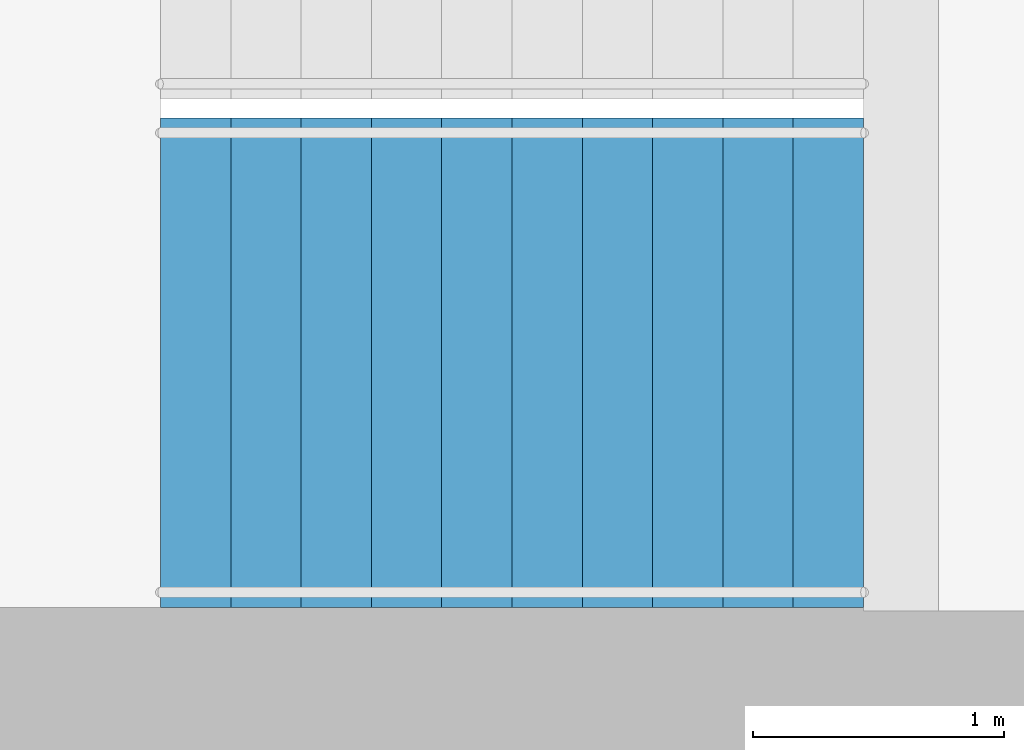
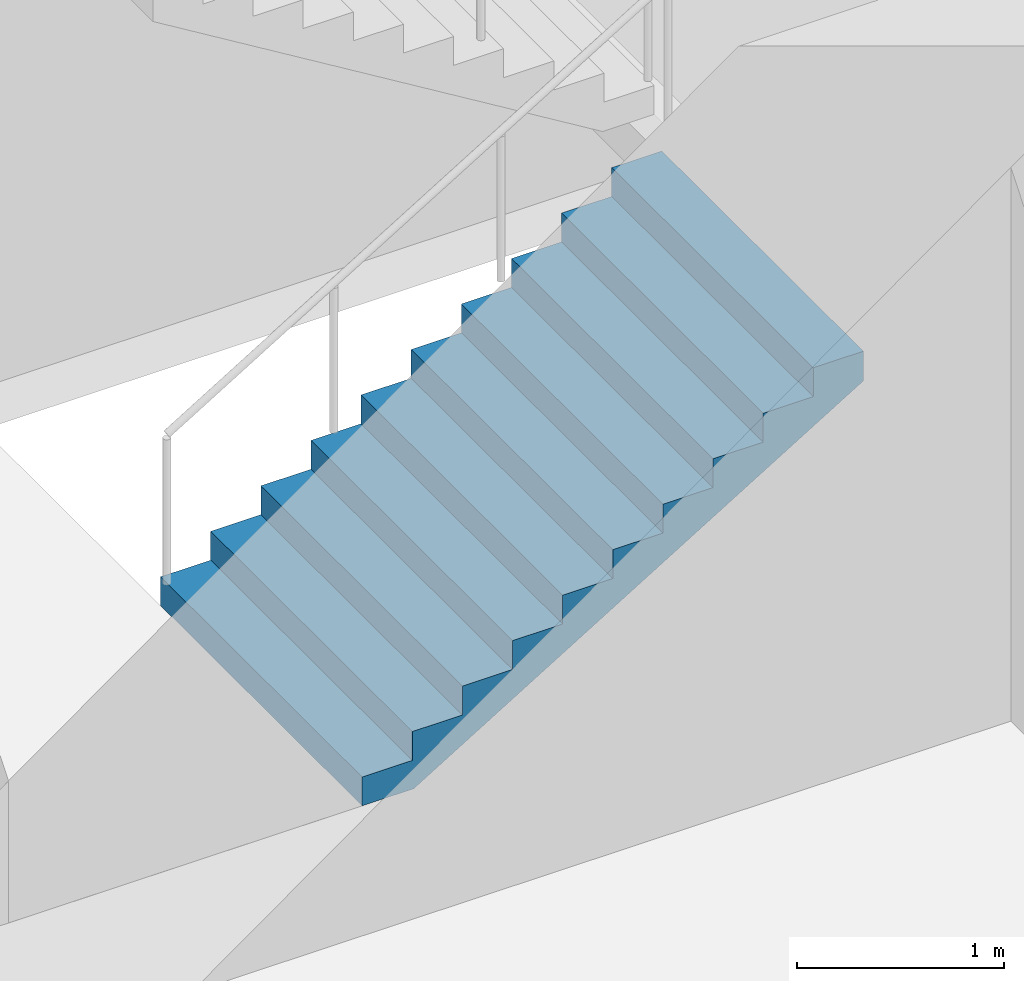
# One storey, part 17 of 21: 1 stair flight, 1 element without a shape of its own.
"""IFC4 building model written with IfcOpenShell, lengths in metres."""

from ifc_helpers import new_model, si_unit, direction, frame, origin, place, context, subcontext, project, spatial, triangles, material, type_object, element, aggregate, save


model = new_model("IFC4")

# Units and contexts
model_context = context("Model", 3, precision=1e-05, world=origin(), true_north=direction((0.0, 1.0)))
body_context = subcontext(model_context, "Body", "Model", "MODEL_VIEW")
ifc_project = project(units=[si_unit("LENGTHUNIT", "METRE"), si_unit("AREAUNIT", "SQUARE_METRE"), si_unit("VOLUMEUNIT", "CUBIC_METRE"), si_unit("PLANEANGLEUNIT", "RADIAN"), si_unit("MASSUNIT", "GRAM", prefix="KILO")], contexts=[model_context])

# Site, building, storey
site_placement = place(None, origin())
site = spatial("IfcSite", under=ifc_project, at=site_placement, CompositionType="ELEMENT")
building_placement = place(site_placement, origin())
building = spatial("IfcBuilding", under=site, at=building_placement, Name="Orbita Commons", CompositionType="ELEMENT")
storey_placement = place(building_placement, frame((0.0, 0.0, 110.64990234375)))
storey = spatial("IfcBuildingStorey", under=building, at=storey_placement, Name="L27", CompositionType="ELEMENT", Elevation=110.64990234375)

# Stair, stair flight
ifc_material_1 = material(Name="Precast concrete C40/50", Category="concrete")
stair_type = type_object("IfcStairType", Name="Exit stair S1 2 flights 11 risers 170", PredefinedType="HALF_TURN_STAIR", material=ifc_material_1)
stair_placement = place(storey_placement, origin())
stair = element("IfcStair", 1, at=stair_placement, inside=storey, type_object=stair_type, Name="Exit stair S1 L27", PredefinedType="HALF_TURN_STAIR")
ifc_material_2 = material(Name="Precast concrete C40/50", Category="concrete")
stair_flight_type = type_object("IfcStairFlightType", Name="Stair flight 11 risers 170 x 280", PredefinedType="STRAIGHT", material=ifc_material_2)
stair_flight_placement = place(storey_placement, frame((20.449951171875, 27.25, 0.0), z_axis=(0.0, 0.0, 1.0), x_axis=(1.0, 0.0, 0.0)))
stair_flight = element("IfcStairFlight", 2, at=stair_flight_placement, type_object=stair_flight_type, Name="S1 flight 1", NumberOfRisers=11, NumberOfTreads=10, PredefinedType="STRAIGHT", RiserHeight=0.170454545, TreadLength=0.28, context=body_context, shape_type="Tessellation", body=[
    triangles([(0.0, 0.974976, 0.0), (0.0, 0.974976, 0.021307), (0.0, 0.81248, 0.021307), (0.0, 0.81248, 0.0), (0.0, 0.649984, 0.021307), (0.0, 0.649984, 0.0), (0.0, 0.487488, 0.021307), (0.0, 0.487488, 0.0), (0.0, 0.324992, 0.021307), (0.0, 0.324992, 0.0), (0.0, 0.162496, 0.021307), (0.0, 0.162496, 0.0), (0.0, 0.0, 0.021307), (0.0, 0.0, 0.0), (0.0, -0.162496, 0.021307), (0.0, -0.162496, 0.0), (0.0, -0.324992, 0.021307), (0.0, -0.324992, 0.0), (0.0, -0.487488, 0.021307), (0.0, -0.487488, 0.0), (0.0, -0.649984, 0.021307), (0.0, -0.649984, 0.0), (0.0, -0.81248, 0.021307), (0.0, -0.81248, 0.0), (0.0, -0.974976, 0.021307), (0.0, -0.974976, 0.0), (0.0, 0.974976, 0.042614), (0.0, 0.81248, 0.042614), (0.0, 0.649984, 0.042614), (0.0, 0.487488, 0.042614), (0.0, 0.324992, 0.042614), (0.0, 0.162496, 0.042614), (0.0, 0.0, 0.042614), (0.0, -0.162496, 0.042614), (0.0, -0.324992, 0.042614), (0.0, -0.487488, 0.042614), (0.0, -0.649984, 0.042614), (0.0, -0.81248, 0.042614), (0.0, -0.974976, 0.042614), (0.0, 0.974976, 0.06392), (0.0, 0.81248, 0.06392), (0.0, 0.649984, 0.06392), (0.0, 0.487488, 0.06392), (0.0, 0.324992, 0.06392), (0.0, 0.162496, 0.06392), (0.0, 0.0, 0.06392), (0.0, -0.162496, 0.06392), (0.0, -0.324992, 0.06392), (0.0, -0.487488, 0.06392), (0.0, -0.649984, 0.06392), (0.0, -0.81248, 0.06392), (0.0, -0.974976, 0.06392), (0.0, 0.974976, 0.085227), (0.0, 0.81248, 0.085227), (0.0, 0.649984, 0.085227), (0.0, 0.487488, 0.085227), (0.0, 0.324992, 0.085227), (0.0, 0.162496, 0.085227), (0.0, 0.0, 0.085227), (0.0, -0.162496, 0.085227), (0.0, -0.324992, 0.085227), (0.0, -0.487488, 0.085227), (0.0, -0.649984, 0.085227), (0.0, -0.81248, 0.085227), (0.0, -0.974976, 0.085227), (0.0, 0.974976, 0.106534), (0.0, 0.81248, 0.106534), (0.0, 0.649984, 0.106534), (0.0, 0.487488, 0.106534), (0.0, 0.324992, 0.106534), (0.0, 0.162496, 0.106534), (0.0, 0.0, 0.106534), (0.0, -0.162496, 0.106534), (0.0, -0.324992, 0.106534), (0.0, -0.487488, 0.106534), (0.0, -0.649984, 0.106534), (0.0, -0.81248, 0.106534), (0.0, -0.974976, 0.106534), (0.0, 0.974976, 0.127841), (0.0, 0.81248, 0.127841), (0.0, 0.649984, 0.127841), (0.0, 0.487488, 0.127841), (0.0, 0.324992, 0.127841), (0.0, 0.162496, 0.127841), (0.0, 0.0, 0.127841), (0.0, -0.162496, 0.127841), (0.0, -0.324992, 0.127841), (0.0, -0.487488, 0.127841), (0.0, -0.649984, 0.127841), (0.0, -0.81248, 0.127841), (0.0, -0.974976, 0.127841), (0.0, 0.974976, 0.149148), (0.0, 0.81248, 0.149148), (0.0, 0.649984, 0.149148), (0.0, 0.487488, 0.149148), (0.0, 0.324992, 0.149148), (0.0, 0.162496, 0.149148), (0.0, 0.0, 0.149148), (0.0, -0.162496, 0.149148), (0.0, -0.324992, 0.149148), (0.0, -0.487488, 0.149148), (0.0, -0.649984, 0.149148), (0.0, -0.81248, 0.149148), (0.0, -0.974976, 0.149148), (0.0, 0.974976, 0.170455), (0.0, 0.81248, 0.170455), (0.0, 0.649984, 0.170455), (0.0, 0.487488, 0.170455), (0.0, 0.324992, 0.170455), (0.0, 0.162496, 0.170455), (0.0, 0.0, 0.170455), (0.0, -0.162496, 0.170455), (0.0, -0.324992, 0.170455), (0.0, -0.487488, 0.170455), (0.0, -0.649984, 0.170455), (0.0, -0.81248, 0.170455), (0.0, -0.974976, 0.170455), (0.28, 0.974976, 0.170455), (0.28, 0.81248, 0.170455), (0.28, 0.649984, 0.170455), (0.28, 0.487488, 0.170455), (0.28, 0.324992, 0.170455), (0.28, 0.162496, 0.170455), (0.28, 0.0, 0.170455), (0.28, -0.162496, 0.170455), (0.28, -0.324992, 0.170455), (0.28, -0.487488, 0.170455), (0.28, -0.649984, 0.170455), (0.28, -0.81248, 0.170455), (0.28, -0.974976, 0.170455), (0.28, 0.974976, 0.340909), (0.28, 0.81248, 0.340909), (0.28, 0.649984, 0.340909), (0.28, 0.487488, 0.340909), (0.28, 0.324992, 0.340909), (0.28, 0.162496, 0.340909), (0.28, 0.0, 0.340909), (0.28, -0.162496, 0.340909), (0.28, -0.324992, 0.340909), (0.28, -0.487488, 0.340909), (0.28, -0.649984, 0.340909), (0.28, -0.81248, 0.340909), (0.28, -0.974976, 0.340909), (0.56, 0.974976, 0.340909), (0.56, 0.81248, 0.340909), (0.56, 0.649984, 0.340909), (0.56, 0.487488, 0.340909), (0.56, 0.324992, 0.340909), (0.56, 0.162496, 0.340909), (0.56, 0.0, 0.340909), (0.56, -0.162496, 0.340909), (0.56, -0.324992, 0.340909), (0.56, -0.487488, 0.340909), (0.56, -0.649984, 0.340909), (0.56, -0.81248, 0.340909), (0.56, -0.974976, 0.340909), (0.56, 0.974976, 0.511364), (0.56, 0.81248, 0.511364), (0.56, 0.649984, 0.511364), (0.56, 0.487488, 0.511364), (0.56, 0.324992, 0.511364), (0.56, 0.162496, 0.511364), (0.56, 0.0, 0.511364), (0.56, -0.162496, 0.511364), (0.56, -0.324992, 0.511364), (0.56, -0.487488, 0.511364), (0.56, -0.649984, 0.511364), (0.56, -0.81248, 0.511364), (0.56, -0.974976, 0.511364), (0.84, 0.974976, 0.511364), (0.84, 0.81248, 0.511364), (0.84, 0.649984, 0.511364), (0.84, 0.487488, 0.511364), (0.84, 0.324992, 0.511364), (0.84, 0.162496, 0.511364), (0.84, 0.0, 0.511364), (0.84, -0.162496, 0.511364), (0.84, -0.324992, 0.511364), (0.84, -0.487488, 0.511364), (0.84, -0.649984, 0.511364), (0.84, -0.81248, 0.511364), (0.84, -0.974976, 0.511364), (0.84, 0.974976, 0.681818), (0.84, 0.81248, 0.681818), (0.84, 0.649984, 0.681818), (0.84, 0.487488, 0.681818), (0.84, 0.324992, 0.681818), (0.84, 0.162496, 0.681818), (0.84, 0.0, 0.681818), (0.84, -0.162496, 0.681818), (0.84, -0.324992, 0.681818), (0.84, -0.487488, 0.681818), (0.84, -0.649984, 0.681818), (0.84, -0.81248, 0.681818), (0.84, -0.974976, 0.681818), (1.12, 0.974976, 0.681818), (1.12, 0.81248, 0.681818), (1.12, 0.649984, 0.681818), (1.12, 0.487488, 0.681818), (1.12, 0.324992, 0.681818), (1.12, 0.162496, 0.681818), (1.12, 0.0, 0.681818), (1.12, -0.162496, 0.681818), (1.12, -0.324992, 0.681818), (1.12, -0.487488, 0.681818), (1.12, -0.649984, 0.681818), (1.12, -0.81248, 0.681818), (1.12, -0.974976, 0.681818), (1.12, 0.974976, 0.852273), (1.12, 0.81248, 0.852273), (1.12, 0.649984, 0.852273), (1.12, 0.487488, 0.852273), (1.12, 0.324992, 0.852273), (1.12, 0.162496, 0.852273), (1.12, 0.0, 0.852273), (1.12, -0.162496, 0.852273), (1.12, -0.324992, 0.852273), (1.12, -0.487488, 0.852273), (1.12, -0.649984, 0.852273), (1.12, -0.81248, 0.852273), (1.12, -0.974976, 0.852273), (1.4, 0.974976, 0.852273), (1.4, 0.81248, 0.852273), (1.4, 0.649984, 0.852273), (1.4, 0.487488, 0.852273), (1.4, 0.324992, 0.852273), (1.4, 0.162496, 0.852273), (1.4, 0.0, 0.852273), (1.4, -0.162496, 0.852273), (1.4, -0.324992, 0.852273), (1.4, -0.487488, 0.852273), (1.4, -0.649984, 0.852273), (1.4, -0.81248, 0.852273), (1.4, -0.974976, 0.852273), (1.4, 0.974976, 1.022727), (1.4, 0.81248, 1.022727), (1.4, 0.649984, 1.022727), (1.4, 0.487488, 1.022727), (1.4, 0.324992, 1.022727), (1.4, 0.162496, 1.022727), (1.4, 0.0, 1.022727), (1.4, -0.162496, 1.022727), (1.4, -0.324992, 1.022727), (1.4, -0.487488, 1.022727), (1.4, -0.649984, 1.022727), (1.4, -0.81248, 1.022727), (1.4, -0.974976, 1.022727), (1.68, 0.974976, 1.022727), (1.68, 0.81248, 1.022727), (1.68, 0.649984, 1.022727), (1.68, 0.487488, 1.022727), (1.68, 0.324992, 1.022727), (1.68, 0.162496, 1.022727), (1.68, 0.0, 1.022727), (1.68, -0.162496, 1.022727), (1.68, -0.324992, 1.022727), (1.68, -0.487488, 1.022727), (1.68, -0.649984, 1.022727), (1.68, -0.81248, 1.022727), (1.68, -0.974976, 1.022727), (1.68, 0.974976, 1.193182), (1.68, 0.81248, 1.193182), (1.68, 0.649984, 1.193182), (1.68, 0.487488, 1.193182), (1.68, 0.324992, 1.193182), (1.68, 0.162496, 1.193182), (1.68, 0.0, 1.193182), (1.68, -0.162496, 1.193182), (1.68, -0.324992, 1.193182), (1.68, -0.487488, 1.193182), (1.68, -0.649984, 1.193182), (1.68, -0.81248, 1.193182), (1.68, -0.974976, 1.193182), (1.96, 0.974976, 1.193182), (1.96, 0.81248, 1.193182), (1.96, 0.649984, 1.193182), (1.96, 0.487488, 1.193182), (1.96, 0.324992, 1.193182), (1.96, 0.162496, 1.193182), (1.96, 0.0, 1.193182), (1.96, -0.162496, 1.193182), (1.96, -0.324992, 1.193182), (1.96, -0.487488, 1.193182), (1.96, -0.649984, 1.193182), (1.96, -0.81248, 1.193182), (1.96, -0.974976, 1.193182), (1.96, 0.974976, 1.363636), (1.96, 0.81248, 1.363636), (1.96, 0.649984, 1.363636), (1.96, 0.487488, 1.363636), (1.96, 0.324992, 1.363636), (1.96, 0.162496, 1.363636), (1.96, 0.0, 1.363636), (1.96, -0.162496, 1.363636), (1.96, -0.324992, 1.363636), (1.96, -0.487488, 1.363636), (1.96, -0.649984, 1.363636), (1.96, -0.81248, 1.363636), (1.96, -0.974976, 1.363636), (2.24, 0.974976, 1.363636), (2.24, 0.81248, 1.363636), (2.24, 0.649984, 1.363636), (2.24, 0.487488, 1.363636), (2.24, 0.324992, 1.363636), (2.24, 0.162496, 1.363636), (2.24, 0.0, 1.363636), (2.24, -0.162496, 1.363636), (2.24, -0.324992, 1.363636), (2.24, -0.487488, 1.363636), (2.24, -0.649984, 1.363636), (2.24, -0.81248, 1.363636), (2.24, -0.974976, 1.363636), (2.24, 0.974976, 1.534091), (2.24, 0.81248, 1.534091), (2.24, 0.649984, 1.534091), (2.24, 0.487488, 1.534091), (2.24, 0.324992, 1.534091), (2.24, 0.162496, 1.534091), (2.24, 0.0, 1.534091), (2.24, -0.162496, 1.534091), (2.24, -0.324992, 1.534091), (2.24, -0.487488, 1.534091), (2.24, -0.649984, 1.534091), (2.24, -0.81248, 1.534091), (2.24, -0.974976, 1.534091), (2.52, 0.974976, 1.534091), (2.52, 0.81248, 1.534091), (2.52, 0.649984, 1.534091), (2.52, 0.487488, 1.534091), (2.52, 0.324992, 1.534091), (2.52, 0.162496, 1.534091), (2.52, 0.0, 1.534091), (2.52, -0.162496, 1.534091), (2.52, -0.324992, 1.534091), (2.52, -0.487488, 1.534091), (2.52, -0.649984, 1.534091), (2.52, -0.81248, 1.534091), (2.52, -0.974976, 1.534091), (2.52, 0.974976, 1.704545), (2.52, 0.81248, 1.704545), (2.52, 0.649984, 1.704545), (2.52, 0.487488, 1.704545), (2.52, 0.324992, 1.704545), (2.52, 0.162496, 1.704545), (2.52, 0.0, 1.704545), (2.52, -0.162496, 1.704545), (2.52, -0.324992, 1.704545), (2.52, -0.487488, 1.704545), (2.52, -0.649984, 1.704545), (2.52, -0.81248, 1.704545), (2.52, -0.974976, 1.704545), (2.8, 0.974976, 1.704545), (2.8, 0.81248, 1.704545), (2.8, 0.649984, 1.704545), (2.8, 0.487488, 1.704545), (2.8, 0.324992, 1.704545), (2.8, 0.162496, 1.704545), (2.8, 0.0, 1.704545), (2.8, -0.162496, 1.704545), (2.8, -0.324992, 1.704545), (2.8, -0.487488, 1.704545), (2.8, -0.649984, 1.704545), (2.8, -0.81248, 1.704545), (2.8, -0.974976, 1.704545), (2.8, 0.974976, 1.682609), (2.8, 0.81248, 1.682609), (2.8, 0.649984, 1.682609), (2.8, 0.487488, 1.682609), (2.8, 0.324992, 1.682609), (2.8, 0.162496, 1.682609), (2.8, 0.0, 1.682609), (2.8, -0.162496, 1.682609), (2.8, -0.324992, 1.682609), (2.8, -0.487488, 1.682609), (2.8, -0.649984, 1.682609), (2.8, -0.81248, 1.682609), (2.8, -0.974976, 1.682609), (2.8, 0.974976, 1.660672), (2.8, 0.81248, 1.660672), (2.8, 0.649984, 1.660672), (2.8, 0.487488, 1.660672), (2.8, 0.324992, 1.660672), (2.8, 0.162496, 1.660672), (2.8, 0.0, 1.660672), (2.8, -0.162496, 1.660672), (2.8, -0.324992, 1.660672), (2.8, -0.487488, 1.660672), (2.8, -0.649984, 1.660672), (2.8, -0.81248, 1.660672), (2.8, -0.974976, 1.660672), (2.8, 0.974976, 1.638735), (2.8, 0.81248, 1.638735), (2.8, 0.649984, 1.638735), (2.8, 0.487488, 1.638735), (2.8, 0.324992, 1.638735), (2.8, 0.162496, 1.638735), (2.8, 0.0, 1.638735), (2.8, -0.162496, 1.638735), (2.8, -0.324992, 1.638735), (2.8, -0.487488, 1.638735), (2.8, -0.649984, 1.638735), (2.8, -0.81248, 1.638735), (2.8, -0.974976, 1.638735), (2.8, 0.974976, 1.616798), (2.8, 0.81248, 1.616798), (2.8, 0.649984, 1.616798), (2.8, 0.487488, 1.616798), (2.8, 0.324992, 1.616798), (2.8, 0.162496, 1.616798), (2.8, 0.0, 1.616798), (2.8, -0.162496, 1.616798), (2.8, -0.324992, 1.616798), (2.8, -0.487488, 1.616798), (2.8, -0.649984, 1.616798), (2.8, -0.81248, 1.616798), (2.8, -0.974976, 1.616798), (2.8, 0.974976, 1.594861), (2.8, 0.81248, 1.594861), (2.8, 0.649984, 1.594861), (2.8, 0.487488, 1.594861), (2.8, 0.324992, 1.594861), (2.8, 0.162496, 1.594861), (2.8, 0.0, 1.594861), (2.8, -0.162496, 1.594861), (2.8, -0.324992, 1.594861), (2.8, -0.487488, 1.594861), (2.8, -0.649984, 1.594861), (2.8, -0.81248, 1.594861), (2.8, -0.974976, 1.594861), (2.8, 0.974976, 1.572925), (2.8, 0.81248, 1.572925), (2.8, 0.649984, 1.572925), (2.8, 0.487488, 1.572925), (2.8, 0.324992, 1.572925), (2.8, 0.162496, 1.572925), (2.8, 0.0, 1.572925), (2.8, -0.162496, 1.572925), (2.8, -0.324992, 1.572925), (2.8, -0.487488, 1.572925), (2.8, -0.649984, 1.572925), (2.8, -0.81248, 1.572925), (2.8, -0.974976, 1.572925), (2.8, 0.974976, 1.550988), (2.8, 0.81248, 1.550988), (2.8, 0.649984, 1.550988), (2.8, 0.487488, 1.550988), (2.8, 0.324992, 1.550988), (2.8, 0.162496, 1.550988), (2.8, 0.0, 1.550988), (2.8, -0.162496, 1.550988), (2.8, -0.324992, 1.550988), (2.8, -0.487488, 1.550988), (2.8, -0.649984, 1.550988), (2.8, -0.81248, 1.550988), (2.8, -0.974976, 1.550988), (2.8, 0.974976, 1.529051), (2.8, 0.81248, 1.529051), (2.8, 0.649984, 1.529051), (2.8, 0.487488, 1.529051), (2.8, 0.324992, 1.529051), (2.8, 0.162496, 1.529051), (2.8, 0.0, 1.529051), (2.8, -0.162496, 1.529051), (2.8, -0.324992, 1.529051), (2.8, -0.487488, 1.529051), (2.8, -0.649984, 1.529051), (2.8, -0.81248, 1.529051), (2.8, -0.974976, 1.529051), (0.288279, 0.974976, 0.0), (0.288279, 0.81248, 0.0), (0.288279, 0.649984, 0.0), (0.288279, 0.487488, 0.0), (0.288279, 0.324992, 0.0), (0.288279, 0.162496, 0.0), (0.288279, 0.0, 0.0), (0.288279, -0.162496, 0.0), (0.288279, -0.324992, 0.0), (0.288279, -0.487488, 0.0), (0.288279, -0.649984, 0.0), (0.288279, -0.81248, 0.0), (0.288279, -0.974976, 0.0)], [[3, 2, 1], [4, 3, 1], [5, 3, 4], [6, 5, 4], [7, 5, 6], [8, 7, 6], [9, 7, 8], [10, 9, 8], [11, 9, 10], [12, 11, 10], [13, 11, 12], [14, 13, 12], [15, 13, 14], [16, 15, 14], [17, 15, 16], [18, 17, 16], [19, 17, 18], [20, 19, 18], [21, 19, 20], [22, 21, 20], [23, 21, 22], [24, 23, 22], [25, 23, 24], [26, 25, 24], [28, 27, 2], [3, 28, 2], [29, 28, 3], [5, 29, 3], [30, 29, 5], [7, 30, 5], [31, 30, 7], [9, 31, 7], [32, 31, 9], [11, 32, 9], [33, 32, 11], [13, 33, 11], [34, 33, 13], [15, 34, 13], [35, 34, 15], [17, 35, 15], [36, 35, 17], [19, 36, 17], [37, 36, 19], [21, 37, 19], [38, 37, 21], [23, 38, 21], [39, 38, 23], [25, 39, 23], [41, 40, 27], [28, 41, 27], [42, 41, 28], [29, 42, 28], [43, 42, 29], [30, 43, 29], [44, 43, 30], [31, 44, 30], [45, 44, 31], [32, 45, 31], [46, 45, 32], [33, 46, 32], [47, 46, 33], [34, 47, 33], [48, 47, 34], [35, 48, 34], [49, 48, 35], [36, 49, 35], [50, 49, 36], [37, 50, 36], [51, 50, 37], [38, 51, 37], [52, 51, 38], [39, 52, 38], [54, 53, 40], [41, 54, 40], [55, 54, 41], [42, 55, 41], [56, 55, 42], [43, 56, 42], [57, 56, 43], [44, 57, 43], [58, 57, 44], [45, 58, 44], [59, 58, 45], [46, 59, 45], [60, 59, 46], [47, 60, 46], [61, 60, 47], [48, 61, 47], [62, 61, 48], [49, 62, 48], [63, 62, 49], [50, 63, 49], [64, 63, 50], [51, 64, 50], [65, 64, 51], [52, 65, 51], [67, 66, 53], [54, 67, 53], [68, 67, 54], [55, 68, 54], [69, 68, 55], [56, 69, 55], [70, 69, 56], [57, 70, 56], [71, 70, 57], [58, 71, 57], [72, 71, 58], [59, 72, 58], [73, 72, 59], [60, 73, 59], [74, 73, 60], [61, 74, 60], [75, 74, 61], [62, 75, 61], [76, 75, 62], [63, 76, 62], [77, 76, 63], [64, 77, 63], [78, 77, 64], [65, 78, 64], [80, 79, 66], [67, 80, 66], [81, 80, 67], [68, 81, 67], [82, 81, 68], [69, 82, 68], [83, 82, 69], [70, 83, 69], [84, 83, 70], [71, 84, 70], [85, 84, 71], [72, 85, 71], [86, 85, 72], [73, 86, 72], [87, 86, 73], [74, 87, 73], [88, 87, 74], [75, 88, 74], [89, 88, 75], [76, 89, 75], [90, 89, 76], [77, 90, 76], [91, 90, 77], [78, 91, 77], [93, 92, 79], [80, 93, 79], [94, 93, 80], [81, 94, 80], [95, 94, 81], [82, 95, 81], [96, 95, 82], [83, 96, 82], [97, 96, 83], [84, 97, 83], [98, 97, 84], [85, 98, 84], [99, 98, 85], [86, 99, 85], [100, 99, 86], [87, 100, 86], [101, 100, 87], [88, 101, 87], [102, 101, 88], [89, 102, 88], [103, 102, 89], [90, 103, 89], [104, 103, 90], [91, 104, 90], [106, 105, 92], [93, 106, 92], [107, 106, 93], [94, 107, 93], [108, 107, 94], [95, 108, 94], [109, 108, 95], [96, 109, 95], [110, 109, 96], [97, 110, 96], [111, 110, 97], [98, 111, 97], [112, 111, 98], [99, 112, 98], [113, 112, 99], [100, 113, 99], [114, 113, 100], [101, 114, 100], [115, 114, 101], [102, 115, 101], [116, 115, 102], [103, 116, 102], [117, 116, 103], [104, 117, 103], [119, 118, 105], [106, 119, 105], [120, 119, 106], [107, 120, 106], [121, 120, 107], [108, 121, 107], [122, 121, 108], [109, 122, 108], [123, 122, 109], [110, 123, 109], [124, 123, 110], [111, 124, 110], [125, 124, 111], [112, 125, 111], [126, 125, 112], [113, 126, 112], [127, 126, 113], [114, 127, 113], [128, 127, 114], [115, 128, 114], [129, 128, 115], [116, 129, 115], [130, 129, 116], [117, 130, 116], [132, 131, 118], [119, 132, 118], [133, 132, 119], [120, 133, 119], [134, 133, 120], [121, 134, 120], [135, 134, 121], [122, 135, 121], [136, 135, 122], [123, 136, 122], [137, 136, 123], [124, 137, 123], [138, 137, 124], [125, 138, 124], [139, 138, 125], [126, 139, 125], [140, 139, 126], [127, 140, 126], [141, 140, 127], [128, 141, 127], [142, 141, 128], [129, 142, 128], [143, 142, 129], [130, 143, 129], [145, 144, 131], [132, 145, 131], [146, 145, 132], [133, 146, 132], [147, 146, 133], [134, 147, 133], [148, 147, 134], [135, 148, 134], [149, 148, 135], [136, 149, 135], [150, 149, 136], [137, 150, 136], [151, 150, 137], [138, 151, 137], [152, 151, 138], [139, 152, 138], [153, 152, 139], [140, 153, 139], [154, 153, 140], [141, 154, 140], [155, 154, 141], [142, 155, 141], [156, 155, 142], [143, 156, 142], [158, 157, 144], [145, 158, 144], [159, 158, 145], [146, 159, 145], [160, 159, 146], [147, 160, 146], [161, 160, 147], [148, 161, 147], [162, 161, 148], [149, 162, 148], [163, 162, 149], [150, 163, 149], [164, 163, 150], [151, 164, 150], [165, 164, 151], [152, 165, 151], [166, 165, 152], [153, 166, 152], [167, 166, 153], [154, 167, 153], [168, 167, 154], [155, 168, 154], [169, 168, 155], [156, 169, 155], [171, 170, 157], [158, 171, 157], [172, 171, 158], [159, 172, 158], [173, 172, 159], [160, 173, 159], [174, 173, 160], [161, 174, 160], [175, 174, 161], [162, 175, 161], [176, 175, 162], [163, 176, 162], [177, 176, 163], [164, 177, 163], [178, 177, 164], [165, 178, 164], [179, 178, 165], [166, 179, 165], [180, 179, 166], [167, 180, 166], [181, 180, 167], [168, 181, 167], [182, 181, 168], [169, 182, 168], [184, 183, 170], [171, 184, 170], [185, 184, 171], [172, 185, 171], [186, 185, 172], [173, 186, 172], [187, 186, 173], [174, 187, 173], [188, 187, 174], [175, 188, 174], [189, 188, 175], [176, 189, 175], [190, 189, 176], [177, 190, 176], [191, 190, 177], [178, 191, 177], [192, 191, 178], [179, 192, 178], [193, 192, 179], [180, 193, 179], [194, 193, 180], [181, 194, 180], [195, 194, 181], [182, 195, 181], [197, 196, 183], [184, 197, 183], [198, 197, 184], [185, 198, 184], [199, 198, 185], [186, 199, 185], [200, 199, 186], [187, 200, 186], [201, 200, 187], [188, 201, 187], [202, 201, 188], [189, 202, 188], [203, 202, 189], [190, 203, 189], [204, 203, 190], [191, 204, 190], [205, 204, 191], [192, 205, 191], [206, 205, 192], [193, 206, 192], [207, 206, 193], [194, 207, 193], [208, 207, 194], [195, 208, 194], [210, 209, 196], [197, 210, 196], [211, 210, 197], [198, 211, 197], [212, 211, 198], [199, 212, 198], [213, 212, 199], [200, 213, 199], [214, 213, 200], [201, 214, 200], [215, 214, 201], [202, 215, 201], [216, 215, 202], [203, 216, 202], [217, 216, 203], [204, 217, 203], [218, 217, 204], [205, 218, 204], [219, 218, 205], [206, 219, 205], [220, 219, 206], [207, 220, 206], [221, 220, 207], [208, 221, 207], [223, 222, 209], [210, 223, 209], [224, 223, 210], [211, 224, 210], [225, 224, 211], [212, 225, 211], [226, 225, 212], [213, 226, 212], [227, 226, 213], [214, 227, 213], [228, 227, 214], [215, 228, 214], [229, 228, 215], [216, 229, 215], [230, 229, 216], [217, 230, 216], [231, 230, 217], [218, 231, 217], [232, 231, 218], [219, 232, 218], [233, 232, 219], [220, 233, 219], [234, 233, 220], [221, 234, 220], [236, 235, 222], [223, 236, 222], [237, 236, 223], [224, 237, 223], [238, 237, 224], [225, 238, 224], [239, 238, 225], [226, 239, 225], [240, 239, 226], [227, 240, 226], [241, 240, 227], [228, 241, 227], [242, 241, 228], [229, 242, 228], [243, 242, 229], [230, 243, 229], [244, 243, 230], [231, 244, 230], [245, 244, 231], [232, 245, 231], [246, 245, 232], [233, 246, 232], [247, 246, 233], [234, 247, 233], [249, 248, 235], [236, 249, 235], [250, 249, 236], [237, 250, 236], [251, 250, 237], [238, 251, 237], [252, 251, 238], [239, 252, 238], [253, 252, 239], [240, 253, 239], [254, 253, 240], [241, 254, 240], [255, 254, 241], [242, 255, 241], [256, 255, 242], [243, 256, 242], [257, 256, 243], [244, 257, 243], [258, 257, 244], [245, 258, 244], [259, 258, 245], [246, 259, 245], [260, 259, 246], [247, 260, 246], [262, 261, 248], [249, 262, 248], [263, 262, 249], [250, 263, 249], [264, 263, 250], [251, 264, 250], [265, 264, 251], [252, 265, 251], [266, 265, 252], [253, 266, 252], [267, 266, 253], [254, 267, 253], [268, 267, 254], [255, 268, 254], [269, 268, 255], [256, 269, 255], [270, 269, 256], [257, 270, 256], [271, 270, 257], [258, 271, 257], [272, 271, 258], [259, 272, 258], [273, 272, 259], [260, 273, 259], [275, 274, 261], [262, 275, 261], [276, 275, 262], [263, 276, 262], [277, 276, 263], [264, 277, 263], [278, 277, 264], [265, 278, 264], [279, 278, 265], [266, 279, 265], [280, 279, 266], [267, 280, 266], [281, 280, 267], [268, 281, 267], [282, 281, 268], [269, 282, 268], [283, 282, 269], [270, 283, 269], [284, 283, 270], [271, 284, 270], [285, 284, 271], [272, 285, 271], [286, 285, 272], [273, 286, 272], [288, 287, 274], [275, 288, 274], [289, 288, 275], [276, 289, 275], [290, 289, 276], [277, 290, 276], [291, 290, 277], [278, 291, 277], [292, 291, 278], [279, 292, 278], [293, 292, 279], [280, 293, 279], [294, 293, 280], [281, 294, 280], [295, 294, 281], [282, 295, 281], [296, 295, 282], [283, 296, 282], [297, 296, 283], [284, 297, 283], [298, 297, 284], [285, 298, 284], [299, 298, 285], [286, 299, 285], [301, 300, 287], [288, 301, 287], [302, 301, 288], [289, 302, 288], [303, 302, 289], [290, 303, 289], [304, 303, 290], [291, 304, 290], [305, 304, 291], [292, 305, 291], [306, 305, 292], [293, 306, 292], [307, 306, 293], [294, 307, 293], [308, 307, 294], [295, 308, 294], [309, 308, 295], [296, 309, 295], [310, 309, 296], [297, 310, 296], [311, 310, 297], [298, 311, 297], [312, 311, 298], [299, 312, 298], [314, 313, 300], [301, 314, 300], [315, 314, 301], [302, 315, 301], [316, 315, 302], [303, 316, 302], [317, 316, 303], [304, 317, 303], [318, 317, 304], [305, 318, 304], [319, 318, 305], [306, 319, 305], [320, 319, 306], [307, 320, 306], [321, 320, 307], [308, 321, 307], [322, 321, 308], [309, 322, 308], [323, 322, 309], [310, 323, 309], [324, 323, 310], [311, 324, 310], [325, 324, 311], [312, 325, 311], [327, 326, 313], [314, 327, 313], [328, 327, 314], [315, 328, 314], [329, 328, 315], [316, 329, 315], [330, 329, 316], [317, 330, 316], [331, 330, 317], [318, 331, 317], [332, 331, 318], [319, 332, 318], [333, 332, 319], [320, 333, 319], [334, 333, 320], [321, 334, 320], [335, 334, 321], [322, 335, 321], [336, 335, 322], [323, 336, 322], [337, 336, 323], [324, 337, 323], [338, 337, 324], [325, 338, 324], [340, 339, 326], [327, 340, 326], [341, 340, 327], [328, 341, 327], [342, 341, 328], [329, 342, 328], [343, 342, 329], [330, 343, 329], [344, 343, 330], [331, 344, 330], [345, 344, 331], [332, 345, 331], [346, 345, 332], [333, 346, 332], [347, 346, 333], [334, 347, 333], [348, 347, 334], [335, 348, 334], [349, 348, 335], [336, 349, 335], [350, 349, 336], [337, 350, 336], [351, 350, 337], [338, 351, 337], [353, 352, 339], [340, 353, 339], [354, 353, 340], [341, 354, 340], [355, 354, 341], [342, 355, 341], [356, 355, 342], [343, 356, 342], [357, 356, 343], [344, 357, 343], [358, 357, 344], [345, 358, 344], [359, 358, 345], [346, 359, 345], [360, 359, 346], [347, 360, 346], [361, 360, 347], [348, 361, 347], [362, 361, 348], [349, 362, 348], [363, 362, 349], [350, 363, 349], [364, 363, 350], [351, 364, 350], [366, 365, 352], [353, 366, 352], [367, 366, 353], [354, 367, 353], [368, 367, 354], [355, 368, 354], [369, 368, 355], [356, 369, 355], [370, 369, 356], [357, 370, 356], [371, 370, 357], [358, 371, 357], [372, 371, 358], [359, 372, 358], [373, 372, 359], [360, 373, 359], [374, 373, 360], [361, 374, 360], [375, 374, 361], [362, 375, 361], [376, 375, 362], [363, 376, 362], [377, 376, 363], [364, 377, 363], [379, 378, 365], [366, 379, 365], [380, 379, 366], [367, 380, 366], [381, 380, 367], [368, 381, 367], [382, 381, 368], [369, 382, 368], [383, 382, 369], [370, 383, 369], [384, 383, 370], [371, 384, 370], [385, 384, 371], [372, 385, 371], [386, 385, 372], [373, 386, 372], [387, 386, 373], [374, 387, 373], [388, 387, 374], [375, 388, 374], [389, 388, 375], [376, 389, 375], [390, 389, 376], [377, 390, 376], [392, 391, 378], [379, 392, 378], [393, 392, 379], [380, 393, 379], [394, 393, 380], [381, 394, 380], [395, 394, 381], [382, 395, 381], [396, 395, 382], [383, 396, 382], [397, 396, 383], [384, 397, 383], [398, 397, 384], [385, 398, 384], [399, 398, 385], [386, 399, 385], [400, 399, 386], [387, 400, 386], [401, 400, 387], [388, 401, 387], [402, 401, 388], [389, 402, 388], [403, 402, 389], [390, 403, 389], [405, 404, 391], [392, 405, 391], [406, 405, 392], [393, 406, 392], [407, 406, 393], [394, 407, 393], [408, 407, 394], [395, 408, 394], [409, 408, 395], [396, 409, 395], [410, 409, 396], [397, 410, 396], [411, 410, 397], [398, 411, 397], [412, 411, 398], [399, 412, 398], [413, 412, 399], [400, 413, 399], [414, 413, 400], [401, 414, 400], [415, 414, 401], [402, 415, 401], [416, 415, 402], [403, 416, 402], [418, 417, 404], [405, 418, 404], [419, 418, 405], [406, 419, 405], [420, 419, 406], [407, 420, 406], [421, 420, 407], [408, 421, 407], [422, 421, 408], [409, 422, 408], [423, 422, 409], [410, 423, 409], [424, 423, 410], [411, 424, 410], [425, 424, 411], [412, 425, 411], [426, 425, 412], [413, 426, 412], [427, 426, 413], [414, 427, 413], [428, 427, 414], [415, 428, 414], [429, 428, 415], [416, 429, 415], [431, 430, 417], [418, 431, 417], [432, 431, 418], [419, 432, 418], [433, 432, 419], [420, 433, 419], [434, 433, 420], [421, 434, 420], [435, 434, 421], [422, 435, 421], [436, 435, 422], [423, 436, 422], [437, 436, 423], [424, 437, 423], [438, 437, 424], [425, 438, 424], [439, 438, 425], [426, 439, 425], [440, 439, 426], [427, 440, 426], [441, 440, 427], [428, 441, 427], [442, 441, 428], [429, 442, 428], [444, 443, 430], [431, 444, 430], [445, 444, 431], [432, 445, 431], [446, 445, 432], [433, 446, 432], [447, 446, 433], [434, 447, 433], [448, 447, 434], [435, 448, 434], [449, 448, 435], [436, 449, 435], [450, 449, 436], [437, 450, 436], [451, 450, 437], [438, 451, 437], [452, 451, 438], [439, 452, 438], [453, 452, 439], [440, 453, 439], [454, 453, 440], [441, 454, 440], [455, 454, 441], [442, 455, 441], [457, 456, 443], [444, 457, 443], [458, 457, 444], [445, 458, 444], [459, 458, 445], [446, 459, 445], [460, 459, 446], [447, 460, 446], [461, 460, 447], [448, 461, 447], [462, 461, 448], [449, 462, 448], [463, 462, 449], [450, 463, 449], [464, 463, 450], [451, 464, 450], [465, 464, 451], [452, 465, 451], [466, 465, 452], [453, 466, 452], [467, 466, 453], [454, 467, 453], [468, 467, 454], [455, 468, 454], [470, 469, 456], [457, 470, 456], [471, 470, 457], [458, 471, 457], [472, 471, 458], [459, 472, 458], [473, 472, 459], [460, 473, 459], [474, 473, 460], [461, 474, 460], [475, 474, 461], [462, 475, 461], [476, 475, 462], [463, 476, 462], [477, 476, 463], [464, 477, 463], [478, 477, 464], [465, 478, 464], [479, 478, 465], [466, 479, 465], [480, 479, 466], [467, 480, 466], [481, 480, 467], [468, 481, 467], [4, 1, 469], [470, 4, 469], [6, 4, 470], [471, 6, 470], [8, 6, 471], [472, 8, 471], [10, 8, 472], [473, 10, 472], [12, 10, 473], [474, 12, 473], [14, 12, 474], [475, 14, 474], [16, 14, 475], [476, 16, 475], [18, 16, 476], [477, 18, 476], [20, 18, 477], [478, 20, 477], [22, 20, 478], [479, 22, 478], [24, 22, 479], [480, 24, 479], [26, 24, 480], [481, 26, 480], [456, 469, 1], [26, 481, 468], [443, 456, 1], [26, 468, 455], [430, 443, 1], [26, 455, 442], [417, 430, 1], [26, 442, 429], [404, 417, 1], [26, 429, 416], [391, 404, 1], [26, 416, 403], [378, 391, 1], [26, 403, 390], [365, 378, 1], [26, 390, 377], [339, 352, 365], [377, 364, 351], [326, 339, 365], [377, 351, 338], [300, 313, 326], [338, 325, 312], [300, 326, 365], [377, 338, 312], [274, 287, 300], [312, 299, 286], [274, 300, 365], [377, 312, 286], [248, 261, 274], [286, 273, 260], [248, 274, 365], [377, 286, 260], [222, 235, 248], [260, 247, 234], [222, 248, 365], [377, 260, 234], [196, 209, 222], [234, 221, 208], [196, 222, 365], [377, 234, 208], [170, 183, 196], [208, 195, 182], [170, 196, 365], [377, 208, 182], [144, 157, 170], [182, 169, 156], [144, 170, 365], [377, 182, 156], [118, 131, 144], [156, 143, 130], [118, 144, 365], [377, 156, 130], [118, 365, 1], [26, 377, 130], [92, 105, 118], [130, 117, 104], [79, 92, 118], [130, 104, 91], [66, 79, 118], [130, 91, 78], [53, 66, 118], [130, 78, 65], [40, 53, 118], [130, 65, 52], [27, 40, 118], [130, 52, 39], [2, 27, 118], [130, 39, 25], [1, 2, 118], [130, 25, 26]], closed=True),
])
aggregate(stair, [stair_flight])

save(model, "model.ifc")
